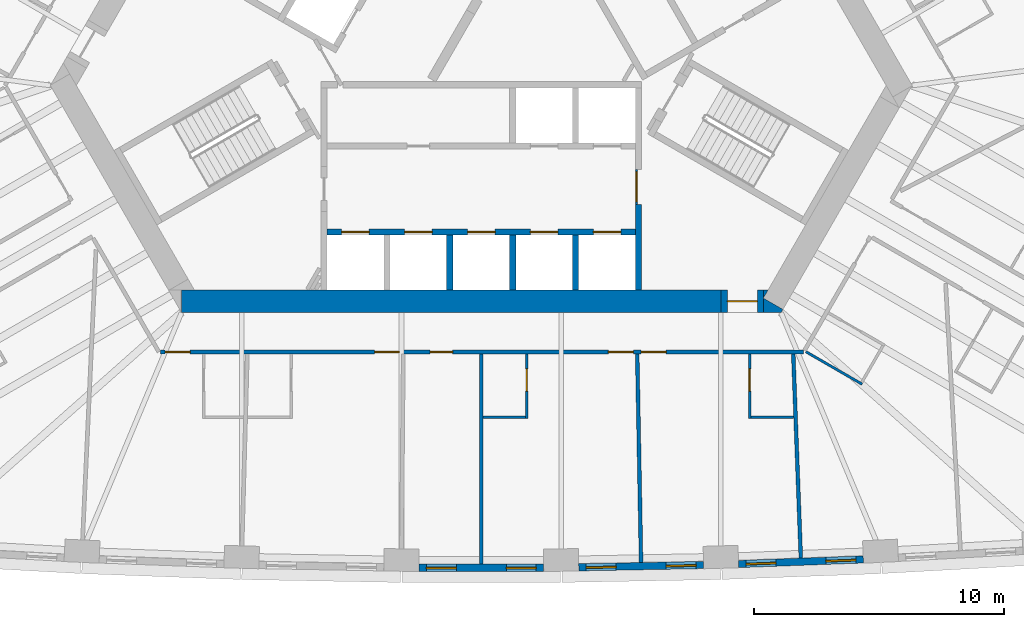
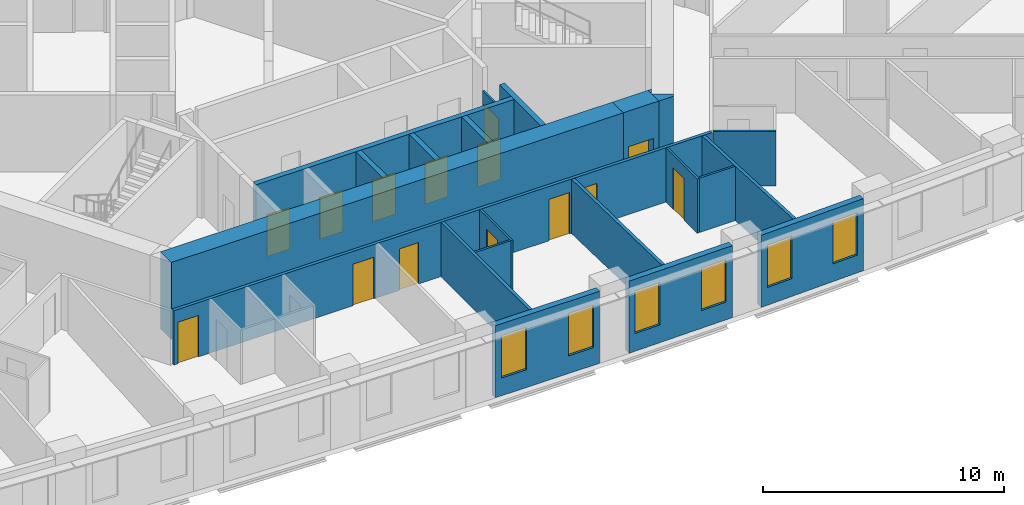
# One storey, part 6 of 13: 22 walls, 14 doors, 6 windows, 20 openings.
"""IFC4 building model written with IfcOpenShell, lengths in metres."""

from ifc_helpers import new_model, si_unit, direction, frame, frame_2d, origin, place, context, subcontext, project, spatial, polyline, rectangle, outline, extrude, material, layer, layer_set, type_object, element, fill, save


model = new_model("IFC4")

# Units and contexts
model_context = context("Model", 3, precision=1e-05, world=origin(), true_north=direction((0.0, 1.0)))
body_context = subcontext(model_context, "Body", "Model", "MODEL_VIEW")
ifc_project = project(units=[si_unit("LENGTHUNIT", "METRE"), si_unit("AREAUNIT", "SQUARE_METRE"), si_unit("VOLUMEUNIT", "CUBIC_METRE"), si_unit("PLANEANGLEUNIT", "RADIAN"), si_unit("MASSUNIT", "GRAM", prefix="KILO")], contexts=[model_context])

# Site, building, storey
site_placement = place(None, origin())
site = spatial("IfcSite", under=ifc_project, at=site_placement, CompositionType="ELEMENT")
building_placement = place(site_placement, origin())
building = spatial("IfcBuilding", under=site, at=building_placement, Name="Mestral Congress Tower", CompositionType="ELEMENT")
storey_placement = place(building_placement, frame((0.0, 0.0, 31.5)))
storey = spatial("IfcBuildingStorey", under=building, at=storey_placement, Name="L06", CompositionType="ELEMENT", Elevation=31.5)

# Wall, opening, door
ifc_material_1 = material(Name="Fire-rated board partition")
ifc_layer_1 = layer(ifc_material_1, 0.090087890625)
ifc_layer_set_1 = layer_set([ifc_layer_1], Name="Fire-rated board partition")
wall_type_1 = type_object("IfcWallType", Name="Core partition 150 door-wall 90", PredefinedType="PARTITIONING", material=ifc_layer_set_1)
wall_1_placement = place(storey_placement, frame((6.219970703125, -7.266357421875, 0.0), z_axis=(0.0, 0.0, 1.0), x_axis=(0.0, -1.0, 0.0)))
wall_1 = element("IfcWall", 1, at=wall_1_placement, inside=storey, type_object=wall_type_1, Name="L06 door wall", PredefinedType="PARTITIONING", context=body_context, shape_type="SweptSolid", body=[
    extrude(rectangle(XDim=1.400146484375, YDim=0.090087890625, at=frame_2d((0.7001953125, 0.0))), origin(), (0.0, 0.0, 1.0), 2.75),
])
opening_1_placement = place(wall_1_placement, frame((0.10009765625, 0.0, 0.0)))
opening_1 = element("IfcOpeningElement", 2, at=opening_1_placement, cuts=wall_1, Name="Opening LB0-WL1", PredefinedType="OPENING", context=body_context, shape_type="SweptSolid", body=[
    extrude(rectangle(XDim=1.199951171875, YDim=2.10009765625, at=frame_2d((0.60009765625, 1.050048828125))), frame((0.0, 0.054931640625, 0.0), z_axis=(0.0, -1.0, 0.0), x_axis=(1.0, 0.0, 0.0)), (0.0, 0.0, 1.0), 0.110107421875),
])
ifc_material_2 = material(Name="Fire-rated steel door set", Category="steel")
door_type_1 = type_object("IfcDoorType", Name="Core door LB 1200x2100", OperationType="SINGLE_SWING_LEFT", PredefinedType="DOOR", material=ifc_material_2)
door_1_placement = place(opening_1_placement, origin())
door_1 = element("IfcDoor", 3, at=door_1_placement, inside=storey, type_object=door_type_1, Name="Door LB0-WL1", OperationType="SINGLE_SWING_LEFT", OverallHeight=2.10009765625, OverallWidth=1.199951171875, PredefinedType="DOOR", context=body_context, shape_type="SweptSolid", body=[
    extrude(rectangle(XDim=1.199951171875, YDim=2.10009765625, at=frame_2d((0.60009765625, 1.050048828125))), frame((0.0, 0.02490234375, 0.0), z_axis=(0.0, -1.0, 0.0), x_axis=(1.0, 0.0, 0.0)), (0.0, 0.0, 1.0), 0.050048828125),
])
fill(opening_1, door_1)

# Walls
ifc_material_3 = material(Name="Concrete C60/75", Category="concrete")
ifc_layer_2 = layer(ifc_material_3, 0.89990234375)
ifc_layer_set_2 = layer_set([ifc_layer_2], Name="Concrete C60/75")
wall_type_2 = type_object("IfcWallType", Name="Core wall RC 900", PredefinedType="SOLIDWALL", material=ifc_layer_set_2)
placement = place(storey_placement, origin())
element("IfcWall", 4, at=placement, inside=storey, type_object=wall_type_2, Name="L06 core wall", PredefinedType="SOLIDWALL", context=body_context, shape_type="SweptSolid", body=[
    extrude(outline(polyline([(12.0087890625, -13.0), (11.31201171875, -13.0), (11.31201171875, -12.425048828125), (12.08349609375, -12.87060546875), (12.0087890625, -13.0)])), origin(), (0.0, 0.0, 1.0), 3.89990234375),
])
element("IfcWall", 5, at=placement, inside=storey, type_object=wall_type_2, Name="L06 core wall", PredefinedType="SOLIDWALL", context=body_context, shape_type="SweptSolid", body=[
    extrude(outline(polyline([(11.4892578125, -12.10009765625), (11.31201171875, -12.4072265625), (11.31201171875, -12.10009765625), (11.4892578125, -12.10009765625)])), origin(), (0.0, 0.0, 1.0), 3.89990234375),
])
wall_4_placement = place(storey_placement, frame((-12.0185546875, -12.550048828125, 0.0), z_axis=(0.0, 0.0, 1.0), x_axis=(1.0, 0.0, 0.0)))
element("IfcWall", 6, at=wall_4_placement, inside=storey, type_object=wall_type_2, Name="L06 core wall", PredefinedType="SOLIDWALL", context=body_context, shape_type="SweptSolid", body=[
    extrude(rectangle(XDim=21.63037109375, YDim=0.89990234375, at=frame_2d((10.815185546875, 0.0))), origin(), (0.0, 0.0, 1.0), 3.89990234375),
])

# Wall, opening, door
wall_5_placement = place(storey_placement, frame((11.311767578125, -12.550048828125, 0.0), z_axis=(0.0, 0.0, 1.0), x_axis=(-1.0, 0.0, 0.0)))
wall_5 = element("IfcWall", 7, at=wall_5_placement, inside=storey, type_object=wall_type_2, Name="L06 door wall", PredefinedType="SOLIDWALL", context=body_context, shape_type="SweptSolid", body=[
    extrude(rectangle(XDim=1.699951171875, YDim=0.89990234375, at=frame_2d((0.85009765625, 0.0))), origin(), (0.0, 0.0, 1.0), 3.89990234375),
])
opening_2_placement = place(wall_5_placement, frame((0.25, 0.0, 0.0)))
opening_2 = element("IfcOpeningElement", 8, at=opening_2_placement, cuts=wall_5, Name="Opening XD1", PredefinedType="OPENING", context=body_context, shape_type="SweptSolid", body=[
    extrude(rectangle(XDim=1.199951171875, YDim=2.10009765625, at=frame_2d((0.60009765625, 1.050048828125))), frame((0.0, 0.4599609375, 0.0), z_axis=(0.0, -1.0, 0.0), x_axis=(1.0, 0.0, 0.0)), (0.0, 0.0, 1.0), 0.919921875),
])
door_type_2 = type_object("IfcDoorType", Name="Core door XD 1200x2100", OperationType="SINGLE_SWING_LEFT", PredefinedType="DOOR", material=ifc_material_2)
door_2_placement = place(opening_2_placement, origin())
door_2 = element("IfcDoor", 9, at=door_2_placement, inside=storey, type_object=door_type_2, Name="Door XD1", OperationType="SINGLE_SWING_LEFT", OverallHeight=2.10009765625, OverallWidth=1.199951171875, PredefinedType="DOOR", context=body_context, shape_type="SweptSolid", body=[
    extrude(rectangle(XDim=1.199951171875, YDim=2.10009765625, at=frame_2d((0.60009765625, 1.050048828125))), frame((0.0, 0.02490234375, 0.0), z_axis=(0.0, -1.0, 0.0), x_axis=(1.0, 0.0, 0.0)), (0.0, 0.0, 1.0), 0.050048828125),
])
fill(opening_2, door_2)

# Wall, openings, windows
ifc_material_4 = material(Name="Precast concrete C40/50 with limestone facing", Category="masonry")
ifc_layer_3 = layer(ifc_material_4, 0.2900390625)
ifc_layer_set_3 = layer_set([ifc_layer_3], Name="Precast concrete C40/50 with limestone facing")
wall_type_3 = type_object("IfcWallType", Name="Facade stone wall 290", PredefinedType="SOLIDWALL", material=ifc_layer_set_3)
wall_6_placement = place(storey_placement, frame((-2.4990234375, -23.21826171875, 0.0), z_axis=(0.0, 0.0, 1.0), x_axis=(1.0, 0.0, 0.0)))
wall_6 = element("IfcWall", 10, at=wall_6_placement, inside=storey, type_object=wall_type_3, Name="Facade wall F0-04", PredefinedType="SOLIDWALL", context=body_context, shape_type="SweptSolid", body=[
    extrude(rectangle(XDim=4.998046875, YDim=0.2900390625, at=frame_2d((2.4990234375, 0.0))), origin(), (0.0, 0.0, 1.0), 3.64990234375),
])
opening_3_placement = place(wall_6_placement, frame((0.297119140625, 0.0, 0.89990234375)))
opening_3 = element("IfcOpeningElement", 11, at=opening_3_placement, cuts=wall_6, Name="Opening W1", PredefinedType="OPENING", context=body_context, shape_type="SweptSolid", body=[
    extrude(rectangle(XDim=1.199951171875, YDim=2.14990234375, at=frame_2d((0.60009765625, 1.074951171875))), frame((0.0, 0.155029296875, 0.0), z_axis=(0.0, -1.0, 0.0), x_axis=(1.0, 0.0, 0.0)), (0.0, 0.0, 1.0), 0.31005859375),
])
opening_4_placement = place(wall_6_placement, frame((3.501220703125, 0.0, 0.89990234375)))
opening_4 = element("IfcOpeningElement", 12, at=opening_4_placement, cuts=wall_6, Name="Opening W1", PredefinedType="OPENING", context=body_context, shape_type="SweptSolid", body=[
    extrude(rectangle(XDim=1.199951171875, YDim=2.14990234375, at=frame_2d((0.60009765625, 1.074951171875))), frame((0.0, 0.155029296875, 0.0), z_axis=(0.0, -1.0, 0.0), x_axis=(1.0, 0.0, 0.0)), (0.0, 0.0, 1.0), 0.31005859375),
])
ifc_material_5 = material(Name="Clear low-emissivity double glazing", Category="glass")
window_type = type_object("IfcWindowType", Name="Facade punched window 1200 x 2150 sill 900", PartitioningType="DOUBLE_PANEL_VERTICAL", PredefinedType="WINDOW", material=ifc_material_5)
window_1_placement = place(opening_3_placement, origin())
window_1 = element("IfcWindow", 13, at=window_1_placement, inside=storey, type_object=window_type, Name="Window F0-04a", OverallHeight=2.14990234375, OverallWidth=1.199951171875, PartitioningType="DOUBLE_PANEL_VERTICAL", PredefinedType="WINDOW", context=body_context, shape_type="SweptSolid", body=[
    extrude(rectangle(XDim=1.199951171875, YDim=2.14990234375, at=frame_2d((0.60009765625, 1.074951171875))), frame((0.0, 0.01513671875, 0.0), z_axis=(0.0, -1.0, 0.0), x_axis=(1.0, 0.0, 0.0)), (0.0, 0.0, 1.0), 0.06005859375),
])
fill(opening_3, window_1)
window_2_placement = place(opening_4_placement, origin())
window_2 = element("IfcWindow", 14, at=window_2_placement, inside=storey, type_object=window_type, Name="Window F0-04b", OverallHeight=2.14990234375, OverallWidth=1.199951171875, PartitioningType="DOUBLE_PANEL_VERTICAL", PredefinedType="WINDOW", context=body_context, shape_type="SweptSolid", body=[
    extrude(rectangle(XDim=1.199951171875, YDim=2.14990234375, at=frame_2d((0.60009765625, 1.074951171875))), frame((0.0, 0.01513671875, 0.0), z_axis=(0.0, -1.0, 0.0), x_axis=(1.0, 0.0, 0.0)), (0.0, 0.0, 1.0), 0.06005859375),
])
fill(opening_4, window_2)

wall_7_placement = place(storey_placement, frame((3.90625, -23.205078125, 0.0), z_axis=(0.0, 0.0, 1.0), x_axis=(0.999829529479, 0.018463801951, 0.0)))
wall_7 = element("IfcWall", 15, at=wall_7_placement, inside=storey, type_object=wall_type_3, Name="Facade wall F0-05", PredefinedType="SOLIDWALL", context=body_context, shape_type="SweptSolid", body=[
    extrude(rectangle(XDim=4.998046875, YDim=0.2900390625, at=frame_2d((2.4990234375, 0.0))), origin(), (0.0, 0.0, 1.0), 3.64990234375),
])
opening_5_placement = place(wall_7_placement, frame((0.297119140625, 0.0, 0.89990234375)))
opening_5 = element("IfcOpeningElement", 16, at=opening_5_placement, cuts=wall_7, Name="Opening W1", PredefinedType="OPENING", context=body_context, shape_type="SweptSolid", body=[
    extrude(rectangle(XDim=1.199951171875, YDim=2.14990234375, at=frame_2d((0.60009765625, 1.074951171875))), frame((0.0, 0.155029296875, 0.0), z_axis=(0.0, -1.0, 0.0), x_axis=(1.0, 0.0, 0.0)), (0.0, 0.0, 1.0), 0.31005859375),
])
opening_6_placement = place(wall_7_placement, frame((3.501220703125, 0.0, 0.89990234375)))
opening_6 = element("IfcOpeningElement", 17, at=opening_6_placement, cuts=wall_7, Name="Opening W1", PredefinedType="OPENING", context=body_context, shape_type="SweptSolid", body=[
    extrude(rectangle(XDim=1.199951171875, YDim=2.14990234375, at=frame_2d((0.60009765625, 1.074951171875))), frame((0.0, 0.155029296875, 0.0), z_axis=(0.0, -1.0, 0.0), x_axis=(1.0, 0.0, 0.0)), (0.0, 0.0, 1.0), 0.31005859375),
])
window_3_placement = place(opening_5_placement, origin())
window_3 = element("IfcWindow", 18, at=window_3_placement, inside=storey, type_object=window_type, Name="Window F0-05a", OverallHeight=2.14990234375, OverallWidth=1.199951171875, PartitioningType="DOUBLE_PANEL_VERTICAL", PredefinedType="WINDOW", context=body_context, shape_type="SweptSolid", body=[
    extrude(rectangle(XDim=1.199951171875, YDim=2.14990234375, at=frame_2d((0.60009765625, 1.074951171875))), frame((0.0, 0.01513671875, 0.0), z_axis=(0.0, -1.0, 0.0), x_axis=(1.0, 0.0, 0.0)), (0.0, 0.0, 1.0), 0.06005859375),
])
fill(opening_5, window_3)
window_4_placement = place(opening_6_placement, origin())
window_4 = element("IfcWindow", 19, at=window_4_placement, inside=storey, type_object=window_type, Name="Window F0-05b", OverallHeight=2.14990234375, OverallWidth=1.199951171875, PartitioningType="DOUBLE_PANEL_VERTICAL", PredefinedType="WINDOW", context=body_context, shape_type="SweptSolid", body=[
    extrude(rectangle(XDim=1.199951171875, YDim=2.14990234375, at=frame_2d((0.60009765625, 1.074951171875))), frame((0.0, 0.01513671875, 0.0), z_axis=(0.0, -1.0, 0.0), x_axis=(1.0, 0.0, 0.0)), (0.0, 0.0, 1.0), 0.06005859375),
])
fill(opening_6, window_4)

wall_8_placement = place(storey_placement, frame((10.310302734375, -23.07373046875, 0.0), z_axis=(0.0, 0.0, 1.0), x_axis=(0.999317974969, 0.036926750529, 0.0)))
wall_8 = element("IfcWall", 20, at=wall_8_placement, inside=storey, type_object=wall_type_3, Name="Facade wall F0-06", PredefinedType="SOLIDWALL", context=body_context, shape_type="SweptSolid", body=[
    extrude(rectangle(XDim=4.998291015625, YDim=0.2900390625, at=frame_2d((2.4990234375, 0.0))), origin(), (0.0, 0.0, 1.0), 3.64990234375),
])
opening_7_placement = place(wall_8_placement, frame((0.297119140625, 0.0, 0.89990234375)))
opening_7 = element("IfcOpeningElement", 21, at=opening_7_placement, cuts=wall_8, Name="Opening W1", PredefinedType="OPENING", context=body_context, shape_type="SweptSolid", body=[
    extrude(rectangle(XDim=1.199951171875, YDim=2.14990234375, at=frame_2d((0.60009765625, 1.074951171875))), frame((0.0, 0.155029296875, 0.0), z_axis=(0.0, -1.0, 0.0), x_axis=(1.0, 0.0, 0.0)), (0.0, 0.0, 1.0), 0.31005859375),
])
opening_8_placement = place(wall_8_placement, frame((3.501220703125, 0.0, 0.89990234375)))
opening_8 = element("IfcOpeningElement", 22, at=opening_8_placement, cuts=wall_8, Name="Opening W1", PredefinedType="OPENING", context=body_context, shape_type="SweptSolid", body=[
    extrude(rectangle(XDim=1.199951171875, YDim=2.14990234375, at=frame_2d((0.60009765625, 1.074951171875))), frame((0.0, 0.155029296875, 0.0), z_axis=(0.0, -1.0, 0.0), x_axis=(1.0, 0.0, 0.0)), (0.0, 0.0, 1.0), 0.31005859375),
])
window_5_placement = place(opening_7_placement, origin())
window_5 = element("IfcWindow", 23, at=window_5_placement, inside=storey, type_object=window_type, Name="Window F0-06a", OverallHeight=2.14990234375, OverallWidth=1.199951171875, PartitioningType="DOUBLE_PANEL_VERTICAL", PredefinedType="WINDOW", context=body_context, shape_type="SweptSolid", body=[
    extrude(rectangle(XDim=1.199951171875, YDim=2.14990234375, at=frame_2d((0.60009765625, 1.074951171875))), frame((0.0, 0.01513671875, 0.0), z_axis=(0.0, -1.0, 0.0), x_axis=(1.0, 0.0, 0.0)), (0.0, 0.0, 1.0), 0.06005859375),
])
fill(opening_7, window_5)
window_6_placement = place(opening_8_placement, origin())
window_6 = element("IfcWindow", 24, at=window_6_placement, inside=storey, type_object=window_type, Name="Window F0-06b", OverallHeight=2.14990234375, OverallWidth=1.199951171875, PartitioningType="DOUBLE_PANEL_VERTICAL", PredefinedType="WINDOW", context=body_context, shape_type="SweptSolid", body=[
    extrude(rectangle(XDim=1.199951171875, YDim=2.14990234375, at=frame_2d((0.60009765625, 1.074951171875))), frame((0.0, 0.01513671875, 0.0), z_axis=(0.0, -1.0, 0.0), x_axis=(1.0, 0.0, 0.0)), (0.0, 0.0, 1.0), 0.06005859375),
])
fill(opening_8, window_6)

# Wall, opening, door
ifc_material_6 = material(Name="Gypsum board partition on metal studs with mineral wool", Category="composite")
ifc_layer_4 = layer(ifc_material_6, 0.10009765625)
ifc_layer_set_4 = layer_set([ifc_layer_4], Name="Gypsum board partition on metal studs with mineral wool")
wall_type_4 = type_object("IfcWallType", Name="Hotel partition wall 100", PredefinedType="PARTITIONING", material=ifc_layer_set_4)
wall_9_placement = place(storey_placement, frame((1.824951171875, -17.25, 0.0), z_axis=(0.0, 0.0, 1.0), x_axis=(0.0, 1.0, 0.0)))
wall_9 = element("IfcWall", 25, at=wall_9_placement, inside=storey, type_object=wall_type_4, Name="L06-h-pod06a", PredefinedType="PARTITIONING", context=body_context, shape_type="SweptSolid", body=[
    extrude(rectangle(XDim=2.60009765625, YDim=0.10009765625, at=frame_2d((1.300048828125, 0.0))), origin(), (0.0, 0.0, 1.0), 2.75),
])
opening_9_placement = place(wall_9_placement, frame((1.10009765625, 0.0, 0.0)))
opening_9 = element("IfcOpeningElement", 26, at=opening_9_placement, cuts=wall_9, Name="Opening H01-011", PredefinedType="OPENING", context=body_context, shape_type="SweptSolid", body=[
    extrude(rectangle(XDim=0.89990234375, YDim=2.10009765625, at=frame_2d((0.449951171875, 1.050048828125))), frame((0.0, 0.06005859375, 0.0), z_axis=(0.0, -1.0, 0.0), x_axis=(1.0, 0.0, 0.0)), (0.0, 0.0, 1.0), 0.1201171875),
])
ifc_material_7 = material(Name="Timber veneer door leaf in timber frame", Category="wood")
door_type_3 = type_object("IfcDoorType", Name="Bathroom door 900", OperationType="SINGLE_SWING_LEFT", PredefinedType="DOOR", material=ifc_material_7)
door_3_placement = place(opening_9_placement, origin())
door_3 = element("IfcDoor", 27, at=door_3_placement, inside=storey, type_object=door_type_3, Name="L06-h-d011", OperationType="SINGLE_SWING_RIGHT", OverallHeight=2.10009765625, OverallWidth=0.89990234375, PredefinedType="DOOR", context=body_context, shape_type="SweptSolid", body=[
    extrude(rectangle(XDim=0.89990234375, YDim=2.10009765625, at=frame_2d((0.449951171875, 1.050048828125))), frame((0.0, 0.02490234375, 0.0), z_axis=(0.0, -1.0, 0.0), x_axis=(1.0, 0.0, 0.0)), (0.0, 0.0, 1.0), 0.050048828125),
])
fill(opening_9, door_3)

# Wall
wall_10_placement = place(storey_placement, frame((1.77490234375, -17.199951171875, 0.0), z_axis=(0.0, 0.0, 1.0), x_axis=(-1.0, 0.0, 0.0)))
element("IfcWall", 28, at=wall_10_placement, inside=storey, type_object=wall_type_4, Name="L06-h-pod06b", PredefinedType="PARTITIONING", context=body_context, shape_type="SweptSolid", body=[
    extrude(rectangle(XDim=1.699951171875, YDim=0.10009765625, at=frame_2d((0.85009765625, 0.0))), origin(), (0.0, 0.0, 1.0), 2.75),
])

# Wall, opening, door
wall_11_placement = place(storey_placement, frame((10.746337890625, -14.64990234375, 0.0), z_axis=(0.0, 0.0, 1.0), x_axis=(0.0, -1.0, 0.0)))
wall_11 = element("IfcWall", 29, at=wall_11_placement, inside=storey, type_object=wall_type_4, Name="L06-h-pod07a", PredefinedType="PARTITIONING", context=body_context, shape_type="SweptSolid", body=[
    extrude(rectangle(XDim=2.60009765625, YDim=0.10009765625, at=frame_2d((1.300048828125, 0.0))), origin(), (0.0, 0.0, 1.0), 2.75),
])
opening_10_placement = place(wall_11_placement, frame((0.60009765625, 0.0, 0.0)))
opening_10 = element("IfcOpeningElement", 30, at=opening_10_placement, cuts=wall_11, Name="Opening H01-013", PredefinedType="OPENING", context=body_context, shape_type="SweptSolid", body=[
    extrude(rectangle(XDim=0.89990234375, YDim=2.10009765625, at=frame_2d((0.449951171875, 1.050048828125))), frame((0.0, 0.06005859375, 0.0), z_axis=(0.0, -1.0, 0.0), x_axis=(1.0, 0.0, 0.0)), (0.0, 0.0, 1.0), 0.1201171875),
])
door_4_placement = place(opening_10_placement, origin())
door_4 = element("IfcDoor", 31, at=door_4_placement, inside=storey, type_object=door_type_3, Name="L06-h-d013", OperationType="SINGLE_SWING_LEFT", OverallHeight=2.10009765625, OverallWidth=0.89990234375, PredefinedType="DOOR", context=body_context, shape_type="SweptSolid", body=[
    extrude(rectangle(XDim=0.89990234375, YDim=2.10009765625, at=frame_2d((0.449951171875, 1.050048828125))), frame((0.0, 0.02490234375, 0.0), z_axis=(0.0, -1.0, 0.0), x_axis=(1.0, 0.0, 0.0)), (0.0, 0.0, 1.0), 0.050048828125),
])
fill(opening_10, door_4)

# Walls
wall_12_placement = place(storey_placement, frame((10.806396484375, -17.199951171875, 0.0), z_axis=(0.0, 0.0, 1.0), x_axis=(1.0, 0.0, 0.0)))
element("IfcWall", 32, at=wall_12_placement, inside=storey, type_object=wall_type_4, Name="L06-h-pod07b", PredefinedType="PARTITIONING", context=body_context, shape_type="SweptSolid", body=[
    extrude(rectangle(XDim=1.7099609375, YDim=0.10009765625, at=frame_2d((0.85498046875, 0.0))), origin(), (0.0, 0.0, 1.0), 2.75),
])
wall_13_placement = place(storey_placement, frame((13.00830078125, -14.569091796875, 0.0), z_axis=(0.0, 0.0, 1.0), x_axis=(0.865997922154, -0.500047596559, 0.0)))
element("IfcWall", 33, at=wall_13_placement, inside=storey, type_object=wall_type_4, Name="L06-h-pod08c", PredefinedType="PARTITIONING", context=body_context, shape_type="SweptSolid", body=[
    extrude(rectangle(XDim=2.599853515625, YDim=0.10009765625, at=frame_2d((1.2998046875, 0.0))), origin(), (0.0, 0.0, 1.0), 2.75),
])

# Wall, openings, doors
ifc_layer_5 = layer(ifc_material_6, 0.14990234375)
ifc_layer_set_5 = layer_set([ifc_layer_5], Name="Gypsum board partition on metal studs with mineral wool")
wall_type_5 = type_object("IfcWallType", Name="Hotel partition wall 150", PredefinedType="PARTITIONING", material=ifc_layer_set_5)
wall_14_placement = place(storey_placement, frame((12.918212890625, -14.574951171875, 0.0), z_axis=(0.0, 0.0, 1.0), x_axis=(-1.0, 0.0, 0.0)))
wall_14 = element("IfcWall", 34, at=wall_14_placement, inside=storey, type_object=wall_type_5, Name="L06-h-cw13", PredefinedType="PARTITIONING", context=body_context, shape_type="SweptSolid", body=[
    extrude(rectangle(XDim=25.766357421875, YDim=0.14990234375, at=frame_2d((12.88330078125, 0.0))), origin(), (0.0, 0.0, 1.0), 2.75),
])
opening_11_placement = place(wall_14_placement, frame((24.58642578125, 0.0, 0.0)))
opening_11 = element("IfcOpeningElement", 35, at=opening_11_placement, cuts=wall_14, Name="Opening H01-005", PredefinedType="OPENING", context=body_context, shape_type="SweptSolid", body=[
    extrude(rectangle(XDim=1.0, YDim=2.10009765625, at=frame_2d((0.5, 1.050048828125))), frame((0.0, 0.0849609375, 0.0), z_axis=(0.0, -1.0, 0.0), x_axis=(1.0, 0.0, 0.0)), (0.0, 0.0, 1.0), 0.169921875),
])
opening_12_placement = place(wall_14_placement, frame((16.195068359375, 0.0, 0.0)))
opening_12 = element("IfcOpeningElement", 36, at=opening_12_placement, cuts=wall_14, Name="Opening H01-007", PredefinedType="OPENING", context=body_context, shape_type="SweptSolid", body=[
    extrude(rectangle(XDim=1.0, YDim=2.10009765625, at=frame_2d((0.5, 1.050048828125))), frame((0.0, 0.0849609375, 0.0), z_axis=(0.0, -1.0, 0.0), x_axis=(1.0, 0.0, 0.0)), (0.0, 0.0, 1.0), 0.169921875),
])
opening_13_placement = place(wall_14_placement, frame((14.06591796875, 0.0, 0.0)))
opening_13 = element("IfcOpeningElement", 37, at=opening_13_placement, cuts=wall_14, Name="Opening H01-009", PredefinedType="OPENING", context=body_context, shape_type="SweptSolid", body=[
    extrude(rectangle(XDim=0.89990234375, YDim=2.10009765625, at=frame_2d((0.449951171875, 1.050048828125))), frame((0.0, 0.0849609375, 0.0), z_axis=(0.0, -1.0, 0.0), x_axis=(1.0, 0.0, 0.0)), (0.0, 0.0, 1.0), 0.169921875),
])
opening_14_placement = place(wall_14_placement, frame((6.823974609375, 0.0, 0.0)))
opening_14 = element("IfcOpeningElement", 38, at=opening_14_placement, cuts=wall_14, Name="Opening H01-010", PredefinedType="OPENING", context=body_context, shape_type="SweptSolid", body=[
    extrude(rectangle(XDim=1.0, YDim=2.10009765625, at=frame_2d((0.5, 1.050048828125))), frame((0.0, 0.0849609375, 0.0), z_axis=(0.0, -1.0, 0.0), x_axis=(1.0, 0.0, 0.0)), (0.0, 0.0, 1.0), 0.169921875),
])
opening_15_placement = place(wall_14_placement, frame((5.5166015625, 0.0, 0.0)))
opening_15 = element("IfcOpeningElement", 39, at=opening_15_placement, cuts=wall_14, Name="Opening H01-012", PredefinedType="OPENING", context=body_context, shape_type="SweptSolid", body=[
    extrude(rectangle(XDim=1.0, YDim=2.10009765625, at=frame_2d((0.5, 1.050048828125))), frame((0.0, 0.0849609375, 0.0), z_axis=(0.0, -1.0, 0.0), x_axis=(1.0, 0.0, 0.0)), (0.0, 0.0, 1.0), 0.169921875),
])
ifc_material_8 = material(Name="Timber veneer door leaf in metal frame", Category="wood")
door_type_4 = type_object("IfcDoorType", Name="Guest room entrance door 1000", OperationType="SINGLE_SWING_LEFT", PredefinedType="DOOR", material=ifc_material_8)
door_5_placement = place(opening_11_placement, origin())
door_5 = element("IfcDoor", 40, at=door_5_placement, inside=storey, type_object=door_type_4, Name="L06-h-d005", OperationType="SINGLE_SWING_RIGHT", OverallHeight=2.10009765625, OverallWidth=1.0, PredefinedType="DOOR", context=body_context, shape_type="SweptSolid", body=[
    extrude(rectangle(XDim=1.0, YDim=2.10009765625, at=frame_2d((0.5, 1.050048828125))), frame((0.0, 0.02490234375, 0.0), z_axis=(0.0, -1.0, 0.0), x_axis=(1.0, 0.0, 0.0)), (0.0, 0.0, 1.0), 0.050048828125),
])
fill(opening_11, door_5)
door_6_placement = place(opening_12_placement, origin())
door_6 = element("IfcDoor", 41, at=door_6_placement, inside=storey, type_object=door_type_4, Name="L06-h-d007", OperationType="SINGLE_SWING_LEFT", OverallHeight=2.10009765625, OverallWidth=1.0, PredefinedType="DOOR", context=body_context, shape_type="SweptSolid", body=[
    extrude(rectangle(XDim=1.0, YDim=2.10009765625, at=frame_2d((0.5, 1.050048828125))), frame((0.0, 0.02490234375, 0.0), z_axis=(0.0, -1.0, 0.0), x_axis=(1.0, 0.0, 0.0)), (0.0, 0.0, 1.0), 0.050048828125),
])
fill(opening_12, door_6)
door_7_placement = place(opening_14_placement, origin())
door_7 = element("IfcDoor", 42, at=door_7_placement, inside=storey, type_object=door_type_4, Name="L06-h-d010", OperationType="SINGLE_SWING_LEFT", OverallHeight=2.10009765625, OverallWidth=1.0, PredefinedType="DOOR", context=body_context, shape_type="SweptSolid", body=[
    extrude(rectangle(XDim=1.0, YDim=2.10009765625, at=frame_2d((0.5, 1.050048828125))), frame((0.0, 0.02490234375, 0.0), z_axis=(0.0, -1.0, 0.0), x_axis=(1.0, 0.0, 0.0)), (0.0, 0.0, 1.0), 0.050048828125),
])
fill(opening_14, door_7)
door_8_placement = place(opening_15_placement, origin())
door_8 = element("IfcDoor", 43, at=door_8_placement, inside=storey, type_object=door_type_4, Name="L06-h-d012", OperationType="SINGLE_SWING_RIGHT", OverallHeight=2.10009765625, OverallWidth=1.0, PredefinedType="DOOR", context=body_context, shape_type="SweptSolid", body=[
    extrude(rectangle(XDim=1.0, YDim=2.10009765625, at=frame_2d((0.5, 1.050048828125))), frame((0.0, 0.02490234375, 0.0), z_axis=(0.0, -1.0, 0.0), x_axis=(1.0, 0.0, 0.0)), (0.0, 0.0, 1.0), 0.050048828125),
])
fill(opening_15, door_8)
door_type_5 = type_object("IfcDoorType", Name="Service room door 900", OperationType="SINGLE_SWING_LEFT", PredefinedType="DOOR", material=ifc_material_8)
door_9_placement = place(opening_13_placement, origin())
door_9 = element("IfcDoor", 44, at=door_9_placement, inside=storey, type_object=door_type_5, Name="L06-h-d009", OperationType="SINGLE_SWING_LEFT", OverallHeight=2.10009765625, OverallWidth=0.89990234375, PredefinedType="DOOR", context=body_context, shape_type="SweptSolid", body=[
    extrude(rectangle(XDim=0.89990234375, YDim=2.10009765625, at=frame_2d((0.449951171875, 1.050048828125))), frame((0.0, 0.02490234375, 0.0), z_axis=(0.0, -1.0, 0.0), x_axis=(1.0, 0.0, 0.0)), (0.0, 0.0, 1.0), 0.050048828125),
])
fill(opening_13, door_9)

# Walls
wall_15_placement = place(storey_placement, frame((0.0, -23.0732421875, 0.0), z_axis=(0.0, 0.0, 1.0), x_axis=(0.0, 1.0, 0.0)))
element("IfcWall", 45, at=wall_15_placement, inside=storey, type_object=wall_type_5, Name="L06-h-pw16", PredefinedType="PARTITIONING", context=body_context, shape_type="SweptSolid", body=[
    extrude(rectangle(XDim=8.42333984375, YDim=0.14990234375, at=frame_2d((4.211669921875, 0.0))), origin(), (0.0, 0.0, 1.0), 2.75),
])
wall_16_placement = place(storey_placement, frame((6.40234375, -23.013916015625, 0.0), z_axis=(0.0, 0.0, 1.0), x_axis=(-0.01849587109, 0.999828936745, 0.0)))
element("IfcWall", 46, at=wall_16_placement, inside=storey, type_object=wall_type_5, Name="L06-h-pw19", PredefinedType="PARTITIONING", context=body_context, shape_type="SweptSolid", body=[
    extrude(rectangle(XDim=8.35546875, YDim=0.14990234375, at=frame_2d((4.177734375, 0.0))), origin(), (0.0, 0.0, 1.0), 2.75),
])
wall_17_placement = place(storey_placement, frame((12.802490234375, -22.83642578125, 0.0), z_axis=(0.0, 0.0, 1.0), x_axis=(-0.036969723281, 0.999316386116, 0.0)))
element("IfcWall", 47, at=wall_17_placement, inside=storey, type_object=wall_type_5, Name="L06-h-pw22", PredefinedType="PARTITIONING", context=body_context, shape_type="SweptSolid", body=[
    extrude(rectangle(XDim=8.18212890625, YDim=0.14990234375, at=frame_2d((4.091064453125, 0.0))), origin(), (0.0, 0.0, 1.0), 2.75),
])
ifc_layer_6 = layer(ifc_material_3, 0.25)
ifc_layer_set_6 = layer_set([ifc_layer_6], Name="Concrete C60/75")
wall_type_6 = type_object("IfcWallType", Name="Shaft wall RC 250", PredefinedType="SOLIDWALL", material=ifc_layer_set_6)
wall_18_placement = place(storey_placement, frame((6.300048828125, -8.669921875, 0.0), z_axis=(0.0, 0.0, 1.0), x_axis=(0.0, -1.0, 0.0)))
element("IfcWall", 48, at=wall_18_placement, inside=storey, type_object=wall_type_6, Name="L06 core wall", PredefinedType="SOLIDWALL", context=body_context, shape_type="SweptSolid", body=[
    extrude(rectangle(XDim=3.43017578125, YDim=0.25, at=frame_2d((1.715087890625, 0.0))), origin(), (0.0, 0.0, 1.0), 3.89990234375),
])
for number, where, z_axis, x_axis, name in (
    (49, (3.780029296875, -12.10009765625, 0.0), (0.0, 0.0, 1.0), (0.0, 1.0, 0.0), "L06 core wall"),
    (50, (1.260009765625, -12.10009765625, 0.0), (0.0, 0.0, 1.0), (0.0, 1.0, 0.0), "L06 core wall"),
    (51, (-1.260009765625, -12.10009765625, 0.0), (0.0, 0.0, 1.0), (0.0, 1.0, 0.0), "L06 core wall"),
):
    element("IfcWall", number, at=place(storey_placement, frame(where, z_axis=z_axis, x_axis=x_axis)), inside=storey, type_object=wall_type_6, Name=name, PredefinedType="SOLIDWALL", context=body_context, shape_type="SweptSolid", body=[
        extrude(rectangle(XDim=2.199951171875, YDim=0.25, at=frame_2d((1.10009765625, 0.0))), origin(), (0.0, 0.0, 1.0), 3.89990234375),
    ])

# Wall, openings, doors
wall_19_placement = place(storey_placement, frame((-6.175048828125, -9.77490234375, 0.0), z_axis=(0.0, 0.0, 1.0), x_axis=(1.0, 0.0, 0.0)))
wall_19 = element("IfcWall", 52, at=wall_19_placement, inside=storey, type_object=wall_type_6, Name="L06 door wall", PredefinedType="SOLIDWALL", context=body_context, shape_type="SweptSolid", body=[
    extrude(rectangle(XDim=12.35009765625, YDim=0.25, at=frame_2d((6.175048828125, 0.0))), origin(), (0.0, 0.0, 1.0), 3.89990234375),
])
opening_16_placement = place(wall_19_placement, frame((0.5849609375, 0.0, 0.0)))
opening_16 = element("IfcOpeningElement", 53, at=opening_16_placement, cuts=wall_19, Name="Opening LD-SOA1", PredefinedType="OPENING", context=body_context, shape_type="SweptSolid", body=[
    extrude(rectangle(XDim=1.10009765625, YDim=2.10009765625, at=frame_2d((0.550048828125, 1.050048828125))), frame((0.0, 0.135009765625, 0.0), z_axis=(0.0, -1.0, 0.0), x_axis=(1.0, 0.0, 0.0)), (0.0, 0.0, 1.0), 0.27001953125),
])
opening_17_placement = place(wall_19_placement, frame((3.10498046875, 0.0, 0.0)))
opening_17 = element("IfcOpeningElement", 54, at=opening_17_placement, cuts=wall_19, Name="Opening LD-SOA2", PredefinedType="OPENING", context=body_context, shape_type="SweptSolid", body=[
    extrude(rectangle(XDim=1.10009765625, YDim=2.10009765625, at=frame_2d((0.550048828125, 1.050048828125))), frame((0.0, 0.135009765625, 0.0), z_axis=(0.0, -1.0, 0.0), x_axis=(1.0, 0.0, 0.0)), (0.0, 0.0, 1.0), 0.27001953125),
])
opening_18_placement = place(wall_19_placement, frame((5.625, 0.0, 0.0)))
opening_18 = element("IfcOpeningElement", 55, at=opening_18_placement, cuts=wall_19, Name="Opening LD-SOA3", PredefinedType="OPENING", context=body_context, shape_type="SweptSolid", body=[
    extrude(rectangle(XDim=1.10009765625, YDim=2.10009765625, at=frame_2d((0.550048828125, 1.050048828125))), frame((0.0, 0.135009765625, 0.0), z_axis=(0.0, -1.0, 0.0), x_axis=(1.0, 0.0, 0.0)), (0.0, 0.0, 1.0), 0.27001953125),
])
opening_19_placement = place(wall_19_placement, frame((8.14501953125, 0.0, 0.0)))
opening_19 = element("IfcOpeningElement", 56, at=opening_19_placement, cuts=wall_19, Name="Opening LD-SOA4", PredefinedType="OPENING", context=body_context, shape_type="SweptSolid", body=[
    extrude(rectangle(XDim=1.10009765625, YDim=2.10009765625, at=frame_2d((0.550048828125, 1.050048828125))), frame((0.0, 0.135009765625, 0.0), z_axis=(0.0, -1.0, 0.0), x_axis=(1.0, 0.0, 0.0)), (0.0, 0.0, 1.0), 0.27001953125),
])
opening_20_placement = place(wall_19_placement, frame((10.6650390625, 0.0, 0.0)))
opening_20 = element("IfcOpeningElement", 57, at=opening_20_placement, cuts=wall_19, Name="Opening LD-SOA5", PredefinedType="OPENING", context=body_context, shape_type="SweptSolid", body=[
    extrude(rectangle(XDim=1.10009765625, YDim=2.10009765625, at=frame_2d((0.550048828125, 1.050048828125))), frame((0.0, 0.135009765625, 0.0), z_axis=(0.0, -1.0, 0.0), x_axis=(1.0, 0.0, 0.0)), (0.0, 0.0, 1.0), 0.27001953125),
])
door_type_6 = type_object("IfcDoorType", Name="Core door LD 1100x2100", OperationType="DOUBLE_DOOR_SLIDING", PredefinedType="DOOR", material=ifc_material_2)
door_10_placement = place(opening_16_placement, origin())
door_10 = element("IfcDoor", 58, at=door_10_placement, inside=storey, type_object=door_type_6, Name="Door LD-SOA1", OperationType="DOUBLE_DOOR_SLIDING", OverallHeight=2.10009765625, OverallWidth=1.10009765625, PredefinedType="DOOR", context=body_context, shape_type="SweptSolid", body=[
    extrude(rectangle(XDim=1.10009765625, YDim=2.10009765625, at=frame_2d((0.550048828125, 1.050048828125))), frame((0.0, 0.02490234375, 0.0), z_axis=(0.0, -1.0, 0.0), x_axis=(1.0, 0.0, 0.0)), (0.0, 0.0, 1.0), 0.050048828125),
])
fill(opening_16, door_10)
door_11_placement = place(opening_17_placement, origin())
door_11 = element("IfcDoor", 59, at=door_11_placement, inside=storey, type_object=door_type_6, Name="Door LD-SOA2", OperationType="DOUBLE_DOOR_SLIDING", OverallHeight=2.10009765625, OverallWidth=1.10009765625, PredefinedType="DOOR", context=body_context, shape_type="SweptSolid", body=[
    extrude(rectangle(XDim=1.10009765625, YDim=2.10009765625, at=frame_2d((0.550048828125, 1.050048828125))), frame((0.0, 0.02490234375, 0.0), z_axis=(0.0, -1.0, 0.0), x_axis=(1.0, 0.0, 0.0)), (0.0, 0.0, 1.0), 0.050048828125),
])
fill(opening_17, door_11)
door_12_placement = place(opening_18_placement, origin())
door_12 = element("IfcDoor", 60, at=door_12_placement, inside=storey, type_object=door_type_6, Name="Door LD-SOA3", OperationType="DOUBLE_DOOR_SLIDING", OverallHeight=2.10009765625, OverallWidth=1.10009765625, PredefinedType="DOOR", context=body_context, shape_type="SweptSolid", body=[
    extrude(rectangle(XDim=1.10009765625, YDim=2.10009765625, at=frame_2d((0.550048828125, 1.050048828125))), frame((0.0, 0.02490234375, 0.0), z_axis=(0.0, -1.0, 0.0), x_axis=(1.0, 0.0, 0.0)), (0.0, 0.0, 1.0), 0.050048828125),
])
fill(opening_18, door_12)
door_13_placement = place(opening_19_placement, origin())
door_13 = element("IfcDoor", 61, at=door_13_placement, inside=storey, type_object=door_type_6, Name="Door LD-SOA4", OperationType="DOUBLE_DOOR_SLIDING", OverallHeight=2.10009765625, OverallWidth=1.10009765625, PredefinedType="DOOR", context=body_context, shape_type="SweptSolid", body=[
    extrude(rectangle(XDim=1.10009765625, YDim=2.10009765625, at=frame_2d((0.550048828125, 1.050048828125))), frame((0.0, 0.02490234375, 0.0), z_axis=(0.0, -1.0, 0.0), x_axis=(1.0, 0.0, 0.0)), (0.0, 0.0, 1.0), 0.050048828125),
])
fill(opening_19, door_13)
door_14_placement = place(opening_20_placement, origin())
door_14 = element("IfcDoor", 62, at=door_14_placement, inside=storey, type_object=door_type_6, Name="Door LD-SOA5", OperationType="DOUBLE_DOOR_SLIDING", OverallHeight=2.10009765625, OverallWidth=1.10009765625, PredefinedType="DOOR", context=body_context, shape_type="SweptSolid", body=[
    extrude(rectangle(XDim=1.10009765625, YDim=2.10009765625, at=frame_2d((0.550048828125, 1.050048828125))), frame((0.0, 0.02490234375, 0.0), z_axis=(0.0, -1.0, 0.0), x_axis=(1.0, 0.0, 0.0)), (0.0, 0.0, 1.0), 0.050048828125),
])
fill(opening_20, door_14)

save(model, "model.ifc")
